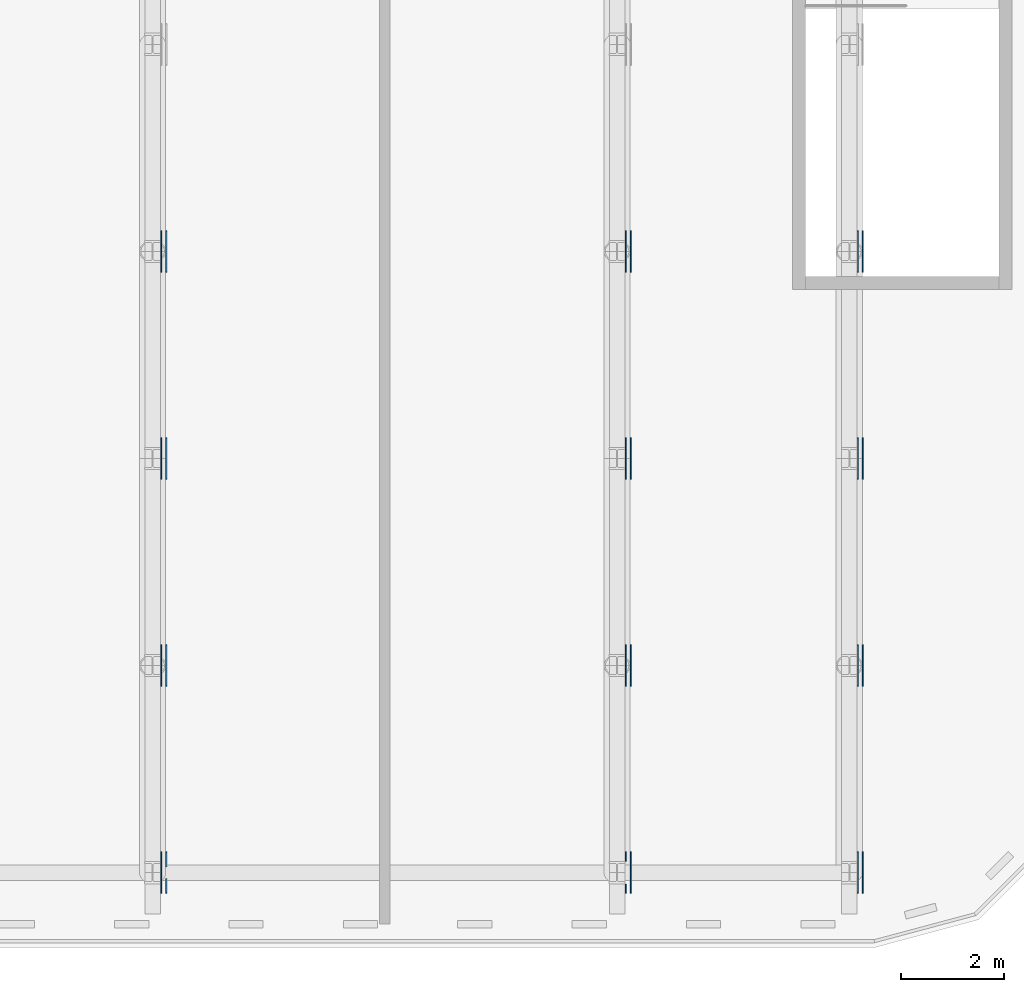
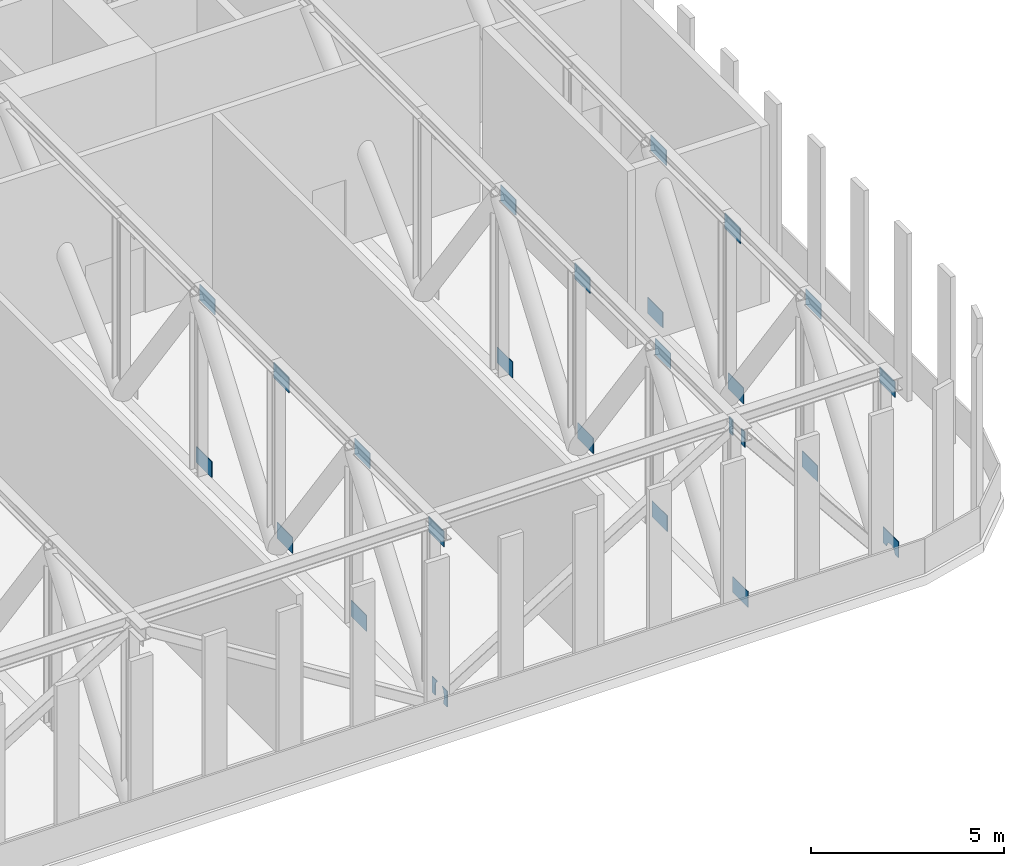
# One storey, part 17 of 26: 26 discrete accessories.
"""IFC4 building model written with IfcOpenShell, lengths in metres."""

import ifcopenshell
import ifcopenshell.guid

model = None  # the IFC model being written
_history = None  # IfcOwnerHistory: only IFC2X3 demands one
_inside = {}  # id of a spatial element -> (the spatial element, [elements in it])
_under = {}  # id of a project, library or spatial element -> (it, [spatial elements below it])
_declared = {}  # id of a project -> (the project, [libraries it declares])
_typed = {}  # id of a type object -> (the type object, [elements of that type])
_made_of = {}  # id of a material, layer set ... -> (it, [elements and type objects made of it])


def new_model(schema):
    """Start an empty IFC model of exactly this schema.

    Asked for "IFC4X3", IfcOpenShell would pick the latest addendum, in which some entities
    have other attributes; the version numbers below select the first issue.
    IFC2X3 requires an IfcOwnerHistory on every rooted entity: one is made here for all.
    """
    global model, _history
    if schema == "IFC4X3":
        model = ifcopenshell.file(schema_version=(4, 3, 0, 0))
    else:
        model = ifcopenshell.file(schema=schema)
    _inside.clear()
    _under.clear()
    _declared.clear()
    _typed.clear()
    _made_of.clear()
    _history = None
    if model.schema == "IFC2X3":
        org = make("IfcOrganization", Name="unknown")
        user = make(
            "IfcPersonAndOrganization",
            ThePerson=make("IfcPerson", FamilyName="unknown"),
            TheOrganization=org,
        )
        app = make(
            "IfcApplication",
            ApplicationDeveloper=org,
            Version="unknown",
            ApplicationFullName="unknown",
            ApplicationIdentifier="unknown",
        )
        _history = make(
            "IfcOwnerHistory",
            OwningUser=user,
            OwningApplication=app,
            ChangeAction="ADDED",
            CreationDate=0,
        )
    return model


def make(cls, **values):
    """One entity of the class cls with the attributes given. An attribute that is None is left unset."""
    return model.create_entity(
        cls, **{name: value for name, value in values.items() if value is not None}
    )


def rooted(cls, **values):
    """An entity with a GlobalId (a new one), such as an element, a storey or a relation."""
    return make(cls, GlobalId=ifcopenshell.guid.new(), OwnerHistory=_history, **values)


def si_unit(unit_type, name, prefix=None):
    """IfcSIUnit, for example si_unit("LENGTHUNIT", "METRE", prefix="MILLI")."""
    return make("IfcSIUnit", UnitType=unit_type, Prefix=prefix, Name=name)


def assignment(units):
    """IfcUnitAssignment: the units of a project."""
    return None if units is None else make("IfcUnitAssignment", Units=units)


def point(xyz):
    """IfcCartesianPoint."""
    return None if xyz is None else make("IfcCartesianPoint", Coordinates=xyz)


def direction(xyz):
    """IfcDirection."""
    return None if xyz is None else make("IfcDirection", DirectionRatios=xyz)


def frame(location, z_axis=None, x_axis=None):
    """IfcAxis2Placement3D, a coordinate frame: its origin and axes. An axis left out is left unset."""
    return make(
        "IfcAxis2Placement3D",
        Location=point(location),
        Axis=direction(z_axis),
        RefDirection=direction(x_axis),
    )


def origin():
    """The frame at (0, 0, 0) with its axes left unset."""
    return frame((0.0, 0.0, 0.0))


def place(relative_to, where):
    """IfcLocalPlacement: puts the frame where relative to a parent placement (None: the world)."""
    return make(
        "IfcLocalPlacement", PlacementRelTo=relative_to, RelativePlacement=where
    )


def context(
    kind, dimensions, precision=None, world=None, true_north=None, identifier=None
):
    """IfcGeometricRepresentationContext, for example the 3D "Model" context."""
    return make(
        "IfcGeometricRepresentationContext",
        ContextIdentifier=identifier,
        ContextType=kind,
        CoordinateSpaceDimension=dimensions,
        Precision=precision,
        WorldCoordinateSystem=world,
        TrueNorth=true_north,
    )


def subcontext(parent, identifier, kind, view, scale=None):
    """IfcGeometricRepresentationSubContext, for example "Body" below "Model"."""
    return make(
        "IfcGeometricRepresentationSubContext",
        ContextIdentifier=identifier,
        ContextType=kind,
        ParentContext=parent,
        TargetScale=scale,
        TargetView=view,
    )


def project(units=None, contexts=None):
    """IfcProject with its units and contexts."""
    return rooted(
        "IfcProject",
        Name="project",
        RepresentationContexts=contexts,
        UnitsInContext=assignment(units),
    )


def spatial(cls, under=None, at=None, **own):
    """A site, building, storey or space (cls), placed at a placement, below another one or the project."""
    s = rooted(cls, ObjectPlacement=at, **own)
    if under is not None:
        _under.setdefault(under.id(), (under, []))[1].append(s)
    return s


def polyline(points):
    """IfcPolyline through the points."""
    return make("IfcPolyline", Points=[point(p) for p in points])


def outline(outer, holes=None, kind="AREA"):
    """IfcArbitraryClosedProfileDef: a profile drawn as a closed curve; with holes, ...WithVoids."""
    if holes is None:
        return make("IfcArbitraryClosedProfileDef", ProfileType=kind, OuterCurve=outer)
    return make(
        "IfcArbitraryProfileDefWithVoids",
        ProfileType=kind,
        OuterCurve=outer,
        InnerCurves=holes,
    )


def extrude(swept, where, along, depth):
    """IfcExtrudedAreaSolid: the profile swept, set in the frame where, extruded along a direction by depth."""
    return make(
        "IfcExtrudedAreaSolid",
        SweptArea=swept,
        Position=where,
        ExtrudedDirection=direction(along),
        Depth=depth,
    )


def shape(context_of_items, identifier, shape_type, items):
    """IfcShapeRepresentation: the items that make up one representation, for example the "Body"."""
    return make(
        "IfcShapeRepresentation",
        ContextOfItems=context_of_items,
        RepresentationIdentifier=identifier,
        RepresentationType=shape_type,
        Items=items,
    )


def material(Name=None, Category=None):
    """IfcMaterial."""
    return make("IfcMaterial", Name=Name, Category=Category)


def layer(
    of_material, thickness, ventilated=None, Name=None, Category=None, Priority=None
):
    """IfcMaterialLayer: one layer of a wall or slab, of a material (None: an air gap)."""
    return make(
        "IfcMaterialLayer",
        Material=of_material,
        LayerThickness=thickness,
        IsVentilated=ventilated,
        Name=Name,
        Category=Category,
        Priority=Priority,
    )


def layer_set(layers, Name=None):
    """IfcMaterialLayerSet."""
    return make("IfcMaterialLayerSet", MaterialLayers=layers, LayerSetName=Name)


def made_of(thing, what):
    """Note that an element or type object is made of a material, layer set ...; save() writes the relation."""
    if what is not None:
        _made_of.setdefault(what.id(), (what, []))[1].append(thing)
    return thing


def type_object(cls, material=None, **own):
    """A type object (cls), such as IfcWallType, which elements share."""
    return made_of(rooted(cls, **own), material)


def element(
    cls,
    number,
    at=None,
    inside=None,
    cuts=None,
    type_object=None,
    material=None,
    context=None,
    identifier="Body",
    shape_type=None,
    held_by="IfcProductDefinitionShape",
    body=None,
    shapes=None,
    **own,
):
    """One element of the class cls, such as IfcWall. Its Tag is "e" and its number.

    at: its placement. inside: the storey or other place that contains it. cuts: it is an
    opening in that element (IfcRelVoidsElement). A single representation is given by context,
    identifier, shape_type and body (its items); several are given by shapes. held_by: the class
    of the entity that holds the representations. save() writes the other relations.
    """
    e = rooted(cls, Tag="e%d" % number, ObjectPlacement=at, **own)
    if body is not None:
        shapes = [shape(context, identifier, shape_type, body)]
    if shapes is not None:
        e.Representation = make(held_by, Representations=shapes)
    if inside is not None:
        _inside.setdefault(inside.id(), (inside, []))[1].append(e)
    if cuts is not None:
        rooted(
            "IfcRelVoidsElement", RelatingBuildingElement=cuts, RelatedOpeningElement=e
        )
    if type_object is not None:
        _typed.setdefault(type_object.id(), (type_object, []))[1].append(e)
    return made_of(e, material)


def aggregate(whole, parts):
    """IfcRelAggregates: a whole, such as a stair, and the parts it consists of."""
    return rooted("IfcRelAggregates", RelatingObject=whole, RelatedObjects=parts)


def save(model, path):
    """Write the relations noted so far, then the file.

    IfcRelAggregates (storeys below a building ...), IfcRelContainedInSpatialStructure (elements
    in a storey), IfcRelDefinesByType, IfcRelAssociatesMaterial and IfcRelDeclares: one each for
    every whole, place, type object, material and project.
    """
    for whole, parts in _under.values():
        aggregate(whole, parts)
    for where, things in _inside.values():
        rooted(
            "IfcRelContainedInSpatialStructure",
            RelatedElements=things,
            RelatingStructure=where,
        )
    for kind, things in _typed.values():
        rooted("IfcRelDefinesByType", RelatedObjects=things, RelatingType=kind)
    for what, things in _made_of.values():
        rooted("IfcRelAssociatesMaterial", RelatedObjects=things, RelatingMaterial=what)
    for by, libraries in _declared.values():
        rooted("IfcRelDeclares", RelatingContext=by, RelatedDefinitions=libraries)
    model.write(path)


model = new_model("IFC4")

# Units and contexts
model_context = context("Model", 3, precision=1e-05, world=origin(), true_north=direction((0.0, 1.0)))
body_context = subcontext(model_context, "Body", "Model", "MODEL_VIEW")
ifc_project = project(units=[si_unit("LENGTHUNIT", "METRE"), si_unit("AREAUNIT", "SQUARE_METRE"), si_unit("VOLUMEUNIT", "CUBIC_METRE"), si_unit("PLANEANGLEUNIT", "RADIAN"), si_unit("MASSUNIT", "GRAM", prefix="KILO")], contexts=[model_context])

# Site, building, storey
site_placement = place(None, origin())
site = spatial("IfcSite", under=ifc_project, at=site_placement, CompositionType="ELEMENT")
building_placement = place(site_placement, origin())
building = spatial("IfcBuilding", under=site, at=building_placement, Name="Kajstack Hotel Tower", CompositionType="ELEMENT")
storey_placement = place(building_placement, frame((0.0, 0.0, 47.0)))
storey = spatial("IfcBuildingStorey", under=building, at=storey_placement, Name="L07", CompositionType="ELEMENT", Elevation=47.0)

# Discrete accessories
ifc_material = material(Name="Steel S355J2", Category="steel")
ifc_layer = layer(ifc_material, 0.02001953125)
ifc_layer_set = layer_set([ifc_layer], Name="GUSSET PLATE")
discrete_accessory_type = type_object("IfcDiscreteAccessoryType", Name="GUSSET PLATE", PredefinedType="BRACKET", material=ifc_layer_set)
discrete_accessory_1_placement = place(storey_placement, frame((27.25390625, -20.550048828125, 0.0), z_axis=(1.0, 0.0, 0.0), x_axis=(0.0, 1.0, 0.0)))
element("IfcDiscreteAccessory", 1, at=discrete_accessory_1_placement, inside=storey, type_object=discrete_accessory_type, Name="Gusset plate L07-116", PredefinedType="BRACKET", context=body_context, shape_type="SweptSolid", body=[
    extrude(outline(polyline([(0.39990234375, 0.5), (0.115478515625, 0.5), (0.140869140625, 0.482177734375), (0.156982421875, 0.467529296875), (0.171630859375, 0.451416015625), (0.184814453125, 0.433837890625), (0.19580078125, 0.415283203125), (0.205322265625, 0.3955078125), (0.212646484375, 0.375), (0.2177734375, 0.353759765625), (0.22119140625, 0.332275390625), (0.22216796875, 0.310546875), (0.22119140625, 0.0), (0.39990234375, 0.0), (0.39990234375, 0.5)])), origin(), (0.0, 0.0, 1.0), 0.02001953125),
])
discrete_accessory_2_placement = place(storey_placement, frame((27.25390625, -20.550048828125, 0.0), z_axis=(1.0, 0.0, 0.0), x_axis=(0.0, 1.0, 0.0)))
element("IfcDiscreteAccessory", 2, at=discrete_accessory_2_placement, inside=storey, type_object=discrete_accessory_type, Name="Gusset plate L07-117", PredefinedType="BRACKET", context=body_context, shape_type="SweptSolid", body=[
    extrude(outline(polyline([(-0.39990234375, 0.0), (-0.22119140625, 0.0), (-0.22216796875, 0.310546875), (-0.22119140625, 0.332275390625), (-0.2177734375, 0.353759765625), (-0.212646484375, 0.375), (-0.205322265625, 0.3955078125), (-0.19580078125, 0.415283203125), (-0.184814453125, 0.433837890625), (-0.171630859375, 0.451416015625), (-0.156982421875, 0.467529296875), (-0.140869140625, 0.482177734375), (-0.115478515625, 0.5), (-0.39990234375, 0.5), (-0.39990234375, 0.0)])), origin(), (0.0, 0.0, 1.0), 0.02001953125),
])
for number, where, z_axis, x_axis, name in (
    (3, (27.153564453125, -20.550048828125, 5.10009765625), (1.0, 0.0, 0.0), (0.0, 1.0, 0.0), "Gusset plate L07-118"),
    (4, (27.153564453125, -16.53759765625, 0.0), (1.0, 0.0, 0.0), (0.0, 1.0, 0.0), "Gusset plate L07-119"),
    (5, (27.25390625, -16.53759765625, 5.10009765625), (1.0, 0.0, 0.0), (0.0, 1.0, 0.0), "Gusset plate L07-120"),
    (6, (27.25390625, -12.52490234375, 0.0), (1.0, 0.0, 0.0), (0.0, 1.0, 0.0), "Gusset plate L07-121"),
    (7, (27.153564453125, -12.52490234375, 5.10009765625), (1.0, 0.0, 0.0), (0.0, 1.0, 0.0), "Gusset plate L07-122"),
    (8, (27.153564453125, -8.512451171875, 0.0), (1.0, 0.0, 0.0), (0.0, 1.0, 0.0), "Gusset plate L07-123"),
    (9, (27.25390625, -8.512451171875, 5.10009765625), (1.0, 0.0, 0.0), (0.0, 1.0, 0.0), "Gusset plate L07-124"),
    (10, (36.25390625, -20.550048828125, 0.0), (1.0, 0.0, 0.0), (0.0, 1.0, 0.0), "Gusset plate L07-128"),
):
    element("IfcDiscreteAccessory", number, at=place(storey_placement, frame(where, z_axis=z_axis, x_axis=x_axis)), inside=storey, type_object=discrete_accessory_type, Name=name, PredefinedType="BRACKET", context=body_context, shape_type="SweptSolid", body=[
        extrude(outline(polyline([(-0.39990234375, 0.0), (0.39990234375, 0.0), (0.39990234375, 0.5), (-0.39990234375, 0.5), (-0.39990234375, 0.0)])), origin(), (0.0, 0.0, 1.0), 0.02001953125),
    ])
discrete_accessory_3_placement = place(storey_placement, frame((36.153564453125, -20.550048828125, 5.10009765625), z_axis=(1.0, 0.0, 0.0), x_axis=(0.0, 1.0, 0.0)))
element("IfcDiscreteAccessory", 11, at=discrete_accessory_3_placement, inside=storey, type_object=discrete_accessory_type, Name="Gusset plate L07-129", PredefinedType="BRACKET", context=body_context, shape_type="SweptSolid", body=[
    extrude(outline(polyline([(0.39990234375, 0.5), (0.22216796875, 0.5), (0.221923828125, 0.0), (0.39990234375, 0.0), (0.39990234375, 0.5)])), origin(), (0.0, 0.0, 1.0), 0.02001953125),
])
discrete_accessory_4_placement = place(storey_placement, frame((36.153564453125, -20.550048828125, 5.10009765625), z_axis=(1.0, 0.0, 0.0), x_axis=(0.0, 1.0, 0.0)))
element("IfcDiscreteAccessory", 12, at=discrete_accessory_4_placement, inside=storey, type_object=discrete_accessory_type, Name="Gusset plate L07-130", PredefinedType="BRACKET", context=body_context, shape_type="SweptSolid", body=[
    extrude(outline(polyline([(-0.39990234375, 0.0), (-0.221923828125, 0.0), (-0.22216796875, 0.5), (-0.39990234375, 0.5), (-0.39990234375, 0.0)])), origin(), (0.0, 0.0, 1.0), 0.02001953125),
])
for number, where, z_axis, x_axis, name in (
    (13, (36.153564453125, -16.53759765625, 0.0), (1.0, 0.0, 0.0), (0.0, 1.0, 0.0), "Gusset plate L07-131"),
    (14, (36.25390625, -16.53759765625, 5.10009765625), (1.0, 0.0, 0.0), (0.0, 1.0, 0.0), "Gusset plate L07-132"),
    (15, (36.25390625, -12.52490234375, 0.0), (1.0, 0.0, 0.0), (0.0, 1.0, 0.0), "Gusset plate L07-133"),
    (16, (36.153564453125, -12.52490234375, 5.10009765625), (1.0, 0.0, 0.0), (0.0, 1.0, 0.0), "Gusset plate L07-134"),
    (17, (36.153564453125, -8.512451171875, 0.0), (1.0, 0.0, 0.0), (0.0, 1.0, 0.0), "Gusset plate L07-135"),
    (18, (36.25390625, -8.512451171875, 5.10009765625), (1.0, 0.0, 0.0), (0.0, 1.0, 0.0), "Gusset plate L07-136"),
):
    element("IfcDiscreteAccessory", number, at=place(storey_placement, frame(where, z_axis=z_axis, x_axis=x_axis)), inside=storey, type_object=discrete_accessory_type, Name=name, PredefinedType="BRACKET", context=body_context, shape_type="SweptSolid", body=[
        extrude(outline(polyline([(-0.39990234375, 0.0), (0.39990234375, 0.0), (0.39990234375, 0.5), (-0.39990234375, 0.5), (-0.39990234375, 0.0)])), origin(), (0.0, 0.0, 1.0), 0.02001953125),
    ])
discrete_accessory_5_placement = place(storey_placement, frame((40.75390625, -20.550048828125, 0.0), z_axis=(1.0, 0.0, 0.0), x_axis=(0.0, 1.0, 0.0)))
element("IfcDiscreteAccessory", 19, at=discrete_accessory_5_placement, inside=storey, type_object=discrete_accessory_type, Name="Gusset plate L07-140", PredefinedType="BRACKET", context=body_context, shape_type="SweptSolid", body=[
    extrude(outline(polyline([(-0.39990234375, 0.0), (-0.218994140625, 0.0), (-0.212646484375, 0.0283203125), (-0.205322265625, 0.048828125), (-0.19580078125, 0.068603515625), (-0.184814453125, 0.08740234375), (-0.171630859375, 0.104736328125), (-0.156982421875, 0.12109375), (-0.140869140625, 0.1357421875), (-0.12353515625, 0.148681640625), (-0.104736328125, 0.159912109375), (-0.0849609375, 0.169189453125), (-0.064453125, 0.176513671875), (-0.04345703125, 0.181884765625), (-0.021728515625, 0.18505859375), (0.0, 0.18603515625), (0.021728515625, 0.18505859375), (0.04345703125, 0.181884765625), (0.064453125, 0.176513671875), (0.0849609375, 0.169189453125), (0.104736328125, 0.159912109375), (0.12353515625, 0.148681640625), (0.140869140625, 0.1357421875), (0.156982421875, 0.12109375), (0.171630859375, 0.104736328125), (0.184814453125, 0.08740234375), (0.19580078125, 0.068603515625), (0.205322265625, 0.048828125), (0.212646484375, 0.0283203125), (0.218994140625, 0.0), (0.39990234375, 0.0), (0.39990234375, 0.5), (-0.39990234375, 0.5), (-0.39990234375, 0.0)])), origin(), (0.0, 0.0, 1.0), 0.02001953125),
])
for number, where, z_axis, x_axis, name in (
    (20, (40.653564453125, -20.550048828125, 5.10009765625), (1.0, 0.0, 0.0), (0.0, 1.0, 0.0), "Gusset plate L07-141"),
    (21, (40.653564453125, -16.53759765625, 0.0), (1.0, 0.0, 0.0), (0.0, 1.0, 0.0), "Gusset plate L07-142"),
    (22, (40.75390625, -16.53759765625, 5.10009765625), (1.0, 0.0, 0.0), (0.0, 1.0, 0.0), "Gusset plate L07-143"),
    (23, (40.75390625, -12.52490234375, 0.0), (1.0, 0.0, 0.0), (0.0, 1.0, 0.0), "Gusset plate L07-144"),
    (24, (40.653564453125, -12.52490234375, 5.10009765625), (1.0, 0.0, 0.0), (0.0, 1.0, 0.0), "Gusset plate L07-145"),
    (25, (40.653564453125, -8.512451171875, 0.0), (1.0, 0.0, 0.0), (0.0, 1.0, 0.0), "Gusset plate L07-146"),
    (26, (40.75390625, -8.512451171875, 5.10009765625), (1.0, 0.0, 0.0), (0.0, 1.0, 0.0), "Gusset plate L07-147"),
):
    element("IfcDiscreteAccessory", number, at=place(storey_placement, frame(where, z_axis=z_axis, x_axis=x_axis)), inside=storey, type_object=discrete_accessory_type, Name=name, PredefinedType="BRACKET", context=body_context, shape_type="SweptSolid", body=[
        extrude(outline(polyline([(-0.39990234375, 0.0), (0.39990234375, 0.0), (0.39990234375, 0.5), (-0.39990234375, 0.5), (-0.39990234375, 0.0)])), origin(), (0.0, 0.0, 1.0), 0.02001953125),
    ])

save(model, "model.ifc")
